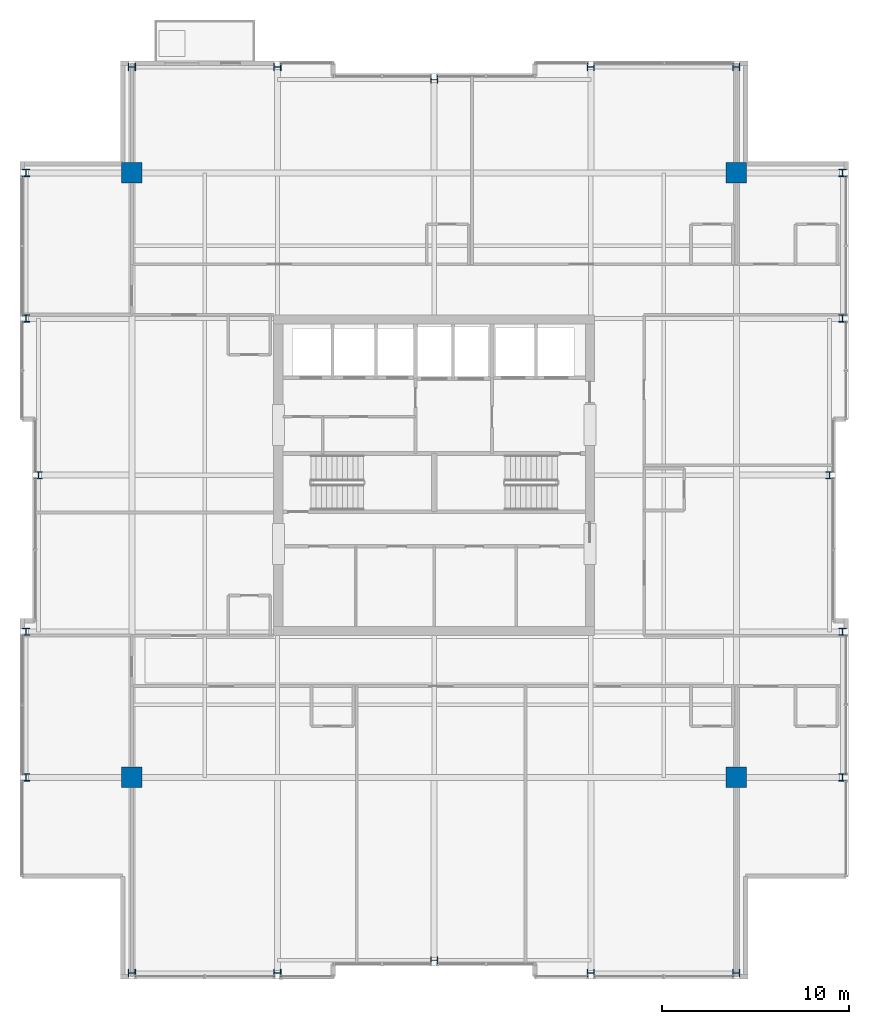
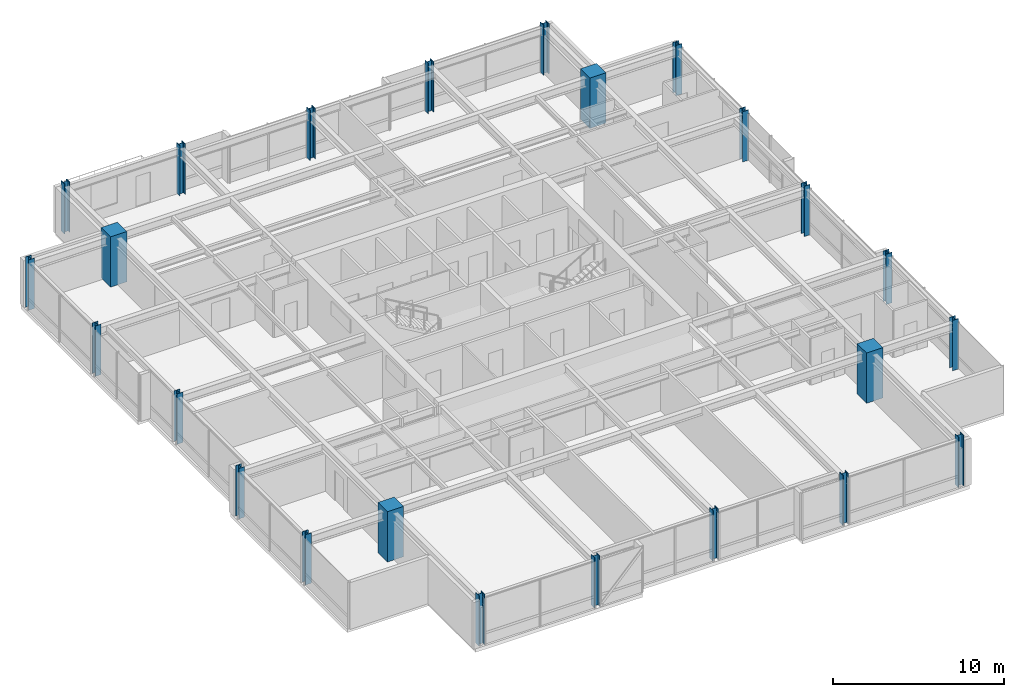
# One storey, part 1 of 32: 24 columns.
"""IFC4 building model written with IfcOpenShell, lengths in metres."""

from ifc_helpers import new_model, si_unit, direction, frame, origin, origin_2d, place, context, subcontext, project, spatial, rectangle, i_section, extrude, material, material_profile, profile_set, type_object, element, save


model = new_model("IFC4")

# Units and contexts
model_context = context("Model", 3, precision=1e-05, world=origin(), true_north=direction((0.0, 1.0)))
body_context = subcontext(model_context, "Body", "Model", "MODEL_VIEW")
ifc_project = project(units=[si_unit("LENGTHUNIT", "METRE"), si_unit("AREAUNIT", "SQUARE_METRE"), si_unit("VOLUMEUNIT", "CUBIC_METRE"), si_unit("PLANEANGLEUNIT", "RADIAN"), si_unit("MASSUNIT", "GRAM", prefix="KILO")], contexts=[model_context])

# Site, building, storey
site_placement = place(None, origin())
site = spatial("IfcSite", under=ifc_project, at=site_placement, CompositionType="ELEMENT")
building_placement = place(site_placement, origin())
building = spatial("IfcBuilding", under=site, at=building_placement, Name="Drelvath Grand Hotel", CompositionType="ELEMENT")
storey_placement = place(building_placement, frame((0.0, 0.0, 223.10009765625)))
storey = spatial("IfcBuildingStorey", under=building, at=storey_placement, Name="L58", CompositionType="ELEMENT", Elevation=223.10009765625)

# Columns
ifc_material_1 = material(Name="Concrete f'c 55 MPa", Category="concrete")
ifc_material_profile_1 = material_profile(ifc_material_1, rectangle(XDim=1.10009765625, YDim=1.10009765625, at=origin_2d()), Name="MC1100X1100")
ifc_profile_set_1 = profile_set([ifc_material_profile_1], Name="Concrete f'c 55 MPa")
column_type_1 = type_object("IfcColumnType", Name="Composite Mega Column MC1100X1100", PredefinedType="COLUMN", material=ifc_profile_set_1)
for number, where, z_axis, x_axis, name in (
    (1, (-16.199951171875, 10.800048828125, 0.0), (0.0, 0.0, 1.0), (1.0, 0.0, 0.0), "L58 Composite Mega Column MC-SW"),
    (2, (16.199951171875, 10.800048828125, 0.0), (0.0, 0.0, 1.0), (1.0, 0.0, 0.0), "L58 Composite Mega Column MC-SE"),
    (3, (-16.199951171875, 43.199951171875, 0.0), (0.0, 0.0, 1.0), (1.0, 0.0, 0.0), "L58 Composite Mega Column MC-NW"),
    (4, (16.199951171875, 43.199951171875, 0.0), (0.0, 0.0, 1.0), (1.0, 0.0, 0.0), "L58 Composite Mega Column MC-NE"),
):
    element("IfcColumn", number, at=place(storey_placement, frame(where, z_axis=z_axis, x_axis=x_axis)), inside=storey, type_object=column_type_1, Name=name, PredefinedType="COLUMN", context=body_context, shape_type="SweptSolid", body=[
        extrude(rectangle(XDim=1.10009765625, YDim=1.10009765625, at=origin_2d()), origin(), (0.0, 0.0, 1.0), 3.599853515625),
    ])
ifc_material_2 = material(Name="Steel ASTM A913 Gr 65", Category="steel")
ifc_material_profile_2 = material_profile(ifc_material_2, i_section(OverallWidth=0.3974609375, OverallDepth=0.38671875, WebThickness=0.02099609375, FlangeThickness=0.033203125, FilletRadius=0.02490234375, at=origin_2d()), Name="W14X176")
ifc_profile_set_2 = profile_set([ifc_material_profile_2], Name="Steel ASTM A913 Gr 65")
column_type_2 = type_object("IfcColumnType", Name="Perimeter Steel Column W14X176", PredefinedType="COLUMN", material=ifc_profile_set_2)
for number, where, z_axis, x_axis, name in (
    (5, (-21.8798828125, 10.800048828125, 0.0), (0.0, 0.0, 1.0), (1.0, 0.0, 0.0), "L58 Structural Column TCW-C"),
    (6, (21.8798828125, 10.800048828125, 0.0), (0.0, 0.0, 1.0), (1.0, 0.0, 0.0), "L58 Structural Column TCE-C"),
    (7, (-21.8798828125, 18.60009765625, 0.0), (0.0, 0.0, 1.0), (1.0, 0.0, 0.0), "L58 Structural Column TCW-D"),
    (8, (21.8798828125, 18.60009765625, 0.0), (0.0, 0.0, 1.0), (1.0, 0.0, 0.0), "L58 Structural Column TCE-D"),
    (9, (-21.199951171875, 27.0, 0.0), (0.0, 0.0, 1.0), (1.0, 0.0, 0.0), "L58 Structural Column TCW-E"),
    (10, (21.199951171875, 27.0, 0.0), (0.0, 0.0, 1.0), (1.0, 0.0, 0.0), "L58 Structural Column TCE-E"),
    (11, (-21.8798828125, 35.39990234375, 0.0), (0.0, 0.0, 1.0), (1.0, 0.0, 0.0), "L58 Structural Column TCW-F"),
    (12, (21.8798828125, 35.39990234375, 0.0), (0.0, 0.0, 1.0), (1.0, 0.0, 0.0), "L58 Structural Column TCE-F"),
    (13, (-21.8798828125, 43.199951171875, 0.0), (0.0, 0.0, 1.0), (1.0, 0.0, 0.0), "L58 Structural Column TCW-G"),
    (14, (21.8798828125, 43.199951171875, 0.0), (0.0, 0.0, 1.0), (1.0, 0.0, 0.0), "L58 Structural Column TCE-G"),
    (15, (-16.199951171875, 0.320068359375, 0.0), (0.0, 0.0, 1.0), (0.0, 1.0, 0.0), "L58 Structural Column TCS-3"),
    (16, (-16.199951171875, 48.8798828125, 0.0), (0.0, 0.0, 1.0), (0.0, 1.0, 0.0), "L58 Structural Column TCN-3"),
    (17, (-8.39990234375, 0.320068359375, 0.0), (0.0, 0.0, 1.0), (0.0, 1.0, 0.0), "L58 Structural Column TCS-4"),
    (18, (-8.39990234375, 48.8798828125, 0.0), (0.0, 0.0, 1.0), (0.0, 1.0, 0.0), "L58 Structural Column TCN-4"),
    (19, (0.0, 1.0, 0.0), (0.0, 0.0, 1.0), (0.0, 1.0, 0.0), "L58 Structural Column TCS-5"),
    (20, (0.0, 48.199951171875, 0.0), (0.0, 0.0, 1.0), (0.0, 1.0, 0.0), "L58 Structural Column TCN-5"),
    (21, (8.39990234375, 0.320068359375, 0.0), (0.0, 0.0, 1.0), (0.0, 1.0, 0.0), "L58 Structural Column TCS-6"),
    (22, (8.39990234375, 48.8798828125, 0.0), (0.0, 0.0, 1.0), (0.0, 1.0, 0.0), "L58 Structural Column TCN-6"),
    (23, (16.199951171875, 0.320068359375, 0.0), (0.0, 0.0, 1.0), (0.0, 1.0, 0.0), "L58 Structural Column TCS-7"),
    (24, (16.199951171875, 48.8798828125, 0.0), (0.0, 0.0, 1.0), (0.0, 1.0, 0.0), "L58 Structural Column TCN-7"),
):
    element("IfcColumn", number, at=place(storey_placement, frame(where, z_axis=z_axis, x_axis=x_axis)), inside=storey, type_object=column_type_2, Name=name, PredefinedType="COLUMN", context=body_context, shape_type="SweptSolid", body=[
        extrude(i_section(OverallWidth=0.3974609375, OverallDepth=0.38671875, WebThickness=0.02099609375, FlangeThickness=0.033203125, FilletRadius=0.02490234375, at=origin_2d()), origin(), (0.0, 0.0, 1.0), 3.596923828125),
    ])

save(model, "model.ifc")
